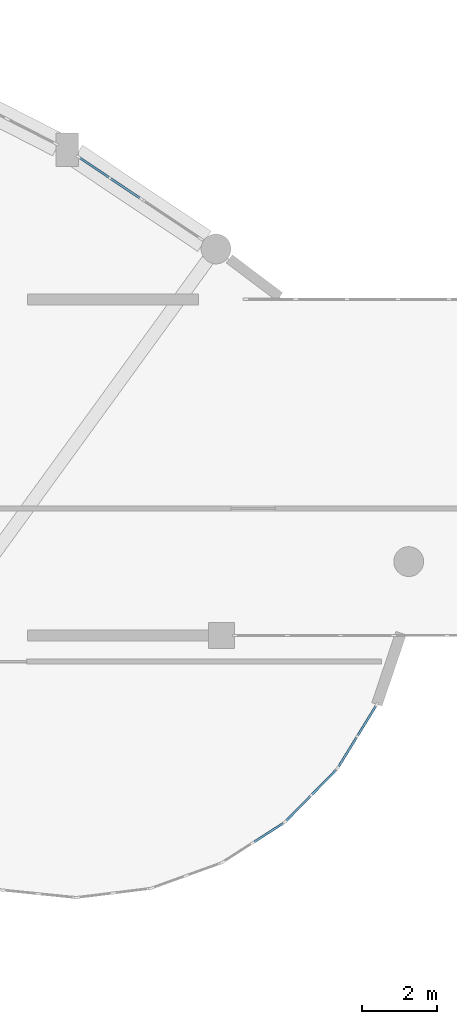
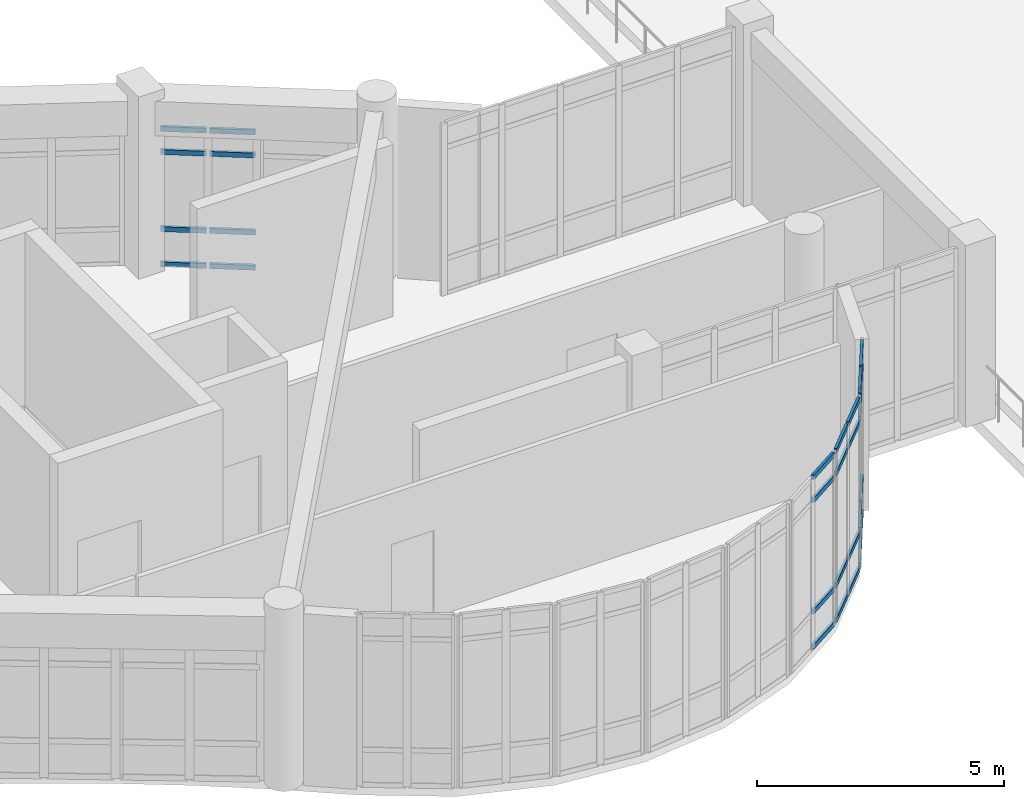
# One storey, part 30 of 54: 28 members, 4 elements without a shape of their own.
"""IFC4 building model written with IfcOpenShell, lengths in metres."""

import ifcopenshell
import ifcopenshell.guid

model = None  # the IFC model being written
_history = None  # IfcOwnerHistory: only IFC2X3 demands one
_inside = {}  # id of a spatial element -> (the spatial element, [elements in it])
_under = {}  # id of a project, library or spatial element -> (it, [spatial elements below it])
_declared = {}  # id of a project -> (the project, [libraries it declares])
_typed = {}  # id of a type object -> (the type object, [elements of that type])
_made_of = {}  # id of a material, layer set ... -> (it, [elements and type objects made of it])


def new_model(schema):
    """Start an empty IFC model of exactly this schema.

    Asked for "IFC4X3", IfcOpenShell would pick the latest addendum, in which some entities
    have other attributes; the version numbers below select the first issue.
    IFC2X3 requires an IfcOwnerHistory on every rooted entity: one is made here for all.
    """
    global model, _history
    if schema == "IFC4X3":
        model = ifcopenshell.file(schema_version=(4, 3, 0, 0))
    else:
        model = ifcopenshell.file(schema=schema)
    _inside.clear()
    _under.clear()
    _declared.clear()
    _typed.clear()
    _made_of.clear()
    _history = None
    if model.schema == "IFC2X3":
        org = make("IfcOrganization", Name="unknown")
        user = make(
            "IfcPersonAndOrganization",
            ThePerson=make("IfcPerson", FamilyName="unknown"),
            TheOrganization=org,
        )
        app = make(
            "IfcApplication",
            ApplicationDeveloper=org,
            Version="unknown",
            ApplicationFullName="unknown",
            ApplicationIdentifier="unknown",
        )
        _history = make(
            "IfcOwnerHistory",
            OwningUser=user,
            OwningApplication=app,
            ChangeAction="ADDED",
            CreationDate=0,
        )
    return model


def make(cls, **values):
    """One entity of the class cls with the attributes given. An attribute that is None is left unset."""
    return model.create_entity(
        cls, **{name: value for name, value in values.items() if value is not None}
    )


def rooted(cls, **values):
    """An entity with a GlobalId (a new one), such as an element, a storey or a relation."""
    return make(cls, GlobalId=ifcopenshell.guid.new(), OwnerHistory=_history, **values)


def si_unit(unit_type, name, prefix=None):
    """IfcSIUnit, for example si_unit("LENGTHUNIT", "METRE", prefix="MILLI")."""
    return make("IfcSIUnit", UnitType=unit_type, Prefix=prefix, Name=name)


def assignment(units):
    """IfcUnitAssignment: the units of a project."""
    return None if units is None else make("IfcUnitAssignment", Units=units)


def point(xyz):
    """IfcCartesianPoint."""
    return None if xyz is None else make("IfcCartesianPoint", Coordinates=xyz)


def direction(xyz):
    """IfcDirection."""
    return None if xyz is None else make("IfcDirection", DirectionRatios=xyz)


def frame(location, z_axis=None, x_axis=None):
    """IfcAxis2Placement3D, a coordinate frame: its origin and axes. An axis left out is left unset."""
    return make(
        "IfcAxis2Placement3D",
        Location=point(location),
        Axis=direction(z_axis),
        RefDirection=direction(x_axis),
    )


def frame_2d(location, x_axis=None):
    """IfcAxis2Placement2D, a coordinate frame in the plane: its origin and x axis."""
    return make(
        "IfcAxis2Placement2D", Location=point(location), RefDirection=direction(x_axis)
    )


def origin():
    """The frame at (0, 0, 0) with its axes left unset."""
    return frame((0.0, 0.0, 0.0))


def origin_2d():
    """The frame at (0, 0) in the plane with its x axis left unset."""
    return frame_2d((0.0, 0.0))


def place(relative_to, where):
    """IfcLocalPlacement: puts the frame where relative to a parent placement (None: the world)."""
    return make(
        "IfcLocalPlacement", PlacementRelTo=relative_to, RelativePlacement=where
    )


def context(
    kind, dimensions, precision=None, world=None, true_north=None, identifier=None
):
    """IfcGeometricRepresentationContext, for example the 3D "Model" context."""
    return make(
        "IfcGeometricRepresentationContext",
        ContextIdentifier=identifier,
        ContextType=kind,
        CoordinateSpaceDimension=dimensions,
        Precision=precision,
        WorldCoordinateSystem=world,
        TrueNorth=true_north,
    )


def subcontext(parent, identifier, kind, view, scale=None):
    """IfcGeometricRepresentationSubContext, for example "Body" below "Model"."""
    return make(
        "IfcGeometricRepresentationSubContext",
        ContextIdentifier=identifier,
        ContextType=kind,
        ParentContext=parent,
        TargetScale=scale,
        TargetView=view,
    )


def project(units=None, contexts=None):
    """IfcProject with its units and contexts."""
    return rooted(
        "IfcProject",
        Name="project",
        RepresentationContexts=contexts,
        UnitsInContext=assignment(units),
    )


def spatial(cls, under=None, at=None, **own):
    """A site, building, storey or space (cls), placed at a placement, below another one or the project."""
    s = rooted(cls, ObjectPlacement=at, **own)
    if under is not None:
        _under.setdefault(under.id(), (under, []))[1].append(s)
    return s


def profile(cls, at=None, kind="AREA", **sizes):
    """A parametric profile (cls). Its sizes go by their IFC names, for example OverallWidth=200.0."""
    return make(cls, ProfileType=kind, Position=at, **sizes)


def rectangle(**sizes):
    """IfcRectangleProfileDef."""
    return profile("IfcRectangleProfileDef", **sizes)


def extrude(swept, where, along, depth):
    """IfcExtrudedAreaSolid: the profile swept, set in the frame where, extruded along a direction by depth."""
    return make(
        "IfcExtrudedAreaSolid",
        SweptArea=swept,
        Position=where,
        ExtrudedDirection=direction(along),
        Depth=depth,
    )


def shape(context_of_items, identifier, shape_type, items):
    """IfcShapeRepresentation: the items that make up one representation, for example the "Body"."""
    return make(
        "IfcShapeRepresentation",
        ContextOfItems=context_of_items,
        RepresentationIdentifier=identifier,
        RepresentationType=shape_type,
        Items=items,
    )


def material(Name=None, Category=None):
    """IfcMaterial."""
    return make("IfcMaterial", Name=Name, Category=Category)


def layer(
    of_material, thickness, ventilated=None, Name=None, Category=None, Priority=None
):
    """IfcMaterialLayer: one layer of a wall or slab, of a material (None: an air gap)."""
    return make(
        "IfcMaterialLayer",
        Material=of_material,
        LayerThickness=thickness,
        IsVentilated=ventilated,
        Name=Name,
        Category=Category,
        Priority=Priority,
    )


def layer_set(layers, Name=None):
    """IfcMaterialLayerSet."""
    return make("IfcMaterialLayerSet", MaterialLayers=layers, LayerSetName=Name)


def material_profile(
    of_material, cross_section, Name=None, Category=None, Priority=None
):
    """IfcMaterialProfile: a cross section and its material."""
    return make(
        "IfcMaterialProfile",
        Name=Name,
        Material=of_material,
        Profile=cross_section,
        Priority=Priority,
        Category=Category,
    )


def profile_set(profiles, Name=None, composite=None):
    """IfcMaterialProfileSet."""
    return make(
        "IfcMaterialProfileSet",
        Name=Name,
        MaterialProfiles=profiles,
        CompositeProfile=composite,
    )


def made_of(thing, what):
    """Note that an element or type object is made of a material, layer set ...; save() writes the relation."""
    if what is not None:
        _made_of.setdefault(what.id(), (what, []))[1].append(thing)
    return thing


def type_object(cls, material=None, **own):
    """A type object (cls), such as IfcWallType, which elements share."""
    return made_of(rooted(cls, **own), material)


def element(
    cls,
    number,
    at=None,
    inside=None,
    cuts=None,
    type_object=None,
    material=None,
    context=None,
    identifier="Body",
    shape_type=None,
    held_by="IfcProductDefinitionShape",
    body=None,
    shapes=None,
    **own,
):
    """One element of the class cls, such as IfcWall. Its Tag is "e" and its number.

    at: its placement. inside: the storey or other place that contains it. cuts: it is an
    opening in that element (IfcRelVoidsElement). A single representation is given by context,
    identifier, shape_type and body (its items); several are given by shapes. held_by: the class
    of the entity that holds the representations. save() writes the other relations.
    """
    e = rooted(cls, Tag="e%d" % number, ObjectPlacement=at, **own)
    if body is not None:
        shapes = [shape(context, identifier, shape_type, body)]
    if shapes is not None:
        e.Representation = make(held_by, Representations=shapes)
    if inside is not None:
        _inside.setdefault(inside.id(), (inside, []))[1].append(e)
    if cuts is not None:
        rooted(
            "IfcRelVoidsElement", RelatingBuildingElement=cuts, RelatedOpeningElement=e
        )
    if type_object is not None:
        _typed.setdefault(type_object.id(), (type_object, []))[1].append(e)
    return made_of(e, material)


def aggregate(whole, parts):
    """IfcRelAggregates: a whole, such as a stair, and the parts it consists of."""
    return rooted("IfcRelAggregates", RelatingObject=whole, RelatedObjects=parts)


def save(model, path):
    """Write the relations noted so far, then the file.

    IfcRelAggregates (storeys below a building ...), IfcRelContainedInSpatialStructure (elements
    in a storey), IfcRelDefinesByType, IfcRelAssociatesMaterial and IfcRelDeclares: one each for
    every whole, place, type object, material and project.
    """
    for whole, parts in _under.values():
        aggregate(whole, parts)
    for where, things in _inside.values():
        rooted(
            "IfcRelContainedInSpatialStructure",
            RelatedElements=things,
            RelatingStructure=where,
        )
    for kind, things in _typed.values():
        rooted("IfcRelDefinesByType", RelatedObjects=things, RelatingType=kind)
    for what, things in _made_of.values():
        rooted("IfcRelAssociatesMaterial", RelatedObjects=things, RelatingMaterial=what)
    for by, libraries in _declared.values():
        rooted("IfcRelDeclares", RelatingContext=by, RelatedDefinitions=libraries)
    model.write(path)


model = new_model("IFC4")

# Units and contexts
model_context = context("Model", 3, precision=1e-05, world=origin(), true_north=direction((0.0, 1.0)))
body_context = subcontext(model_context, "Body", "Model", "MODEL_VIEW")
ifc_project = project(units=[si_unit("LENGTHUNIT", "METRE"), si_unit("AREAUNIT", "SQUARE_METRE"), si_unit("VOLUMEUNIT", "CUBIC_METRE"), si_unit("PLANEANGLEUNIT", "RADIAN"), si_unit("MASSUNIT", "GRAM", prefix="KILO")], contexts=[model_context])

# Site, building, storey
site_placement = place(None, origin())
site = spatial("IfcSite", under=ifc_project, at=site_placement, CompositionType="ELEMENT")
building_placement = place(site_placement, origin())
building = spatial("IfcBuilding", under=site, at=building_placement, Name="Miralva Faculty of Natural Sciences", CompositionType="ELEMENT")
storey_placement = place(building_placement, frame((0.0, 0.0, 19.5)))
storey = spatial("IfcBuildingStorey", under=building, at=storey_placement, Name="L04", CompositionType="ELEMENT", Elevation=19.5)

# Curtain wall, members
ifc_material_1 = material(Name="Laminated solar-control glass", Category="glass")
ifc_layer_1 = layer(ifc_material_1, 0.179931640625, Name="CW-ARC-L03")
ifc_layer_set_1 = layer_set([ifc_layer_1], Name="Laminated solar-control glass")
curtain_wall_type_1 = type_object("IfcCurtainWallType", Name="CW-ARC-L03", PredefinedType="USERDEFINED", material=ifc_layer_set_1)
curtain_wall_1_placement = place(storey_placement, origin())
curtain_wall_1 = element("IfcCurtainWall", 1, at=curtain_wall_1_placement, inside=storey, type_object=curtain_wall_type_1, Name="Curtain wall CW-03 L04-187", ObjectType="UNITISED CURTAIN WALL", PredefinedType="USERDEFINED")
ifc_material_2 = material(Name="Anodised aluminium", Category="aluminium")
ifc_material_profile = material_profile(ifc_material_2, rectangle(XDim=0.06005859375, YDim=0.1201171875, at=origin_2d()), Name="TRANSOM 60x120")
ifc_profile_set = profile_set([ifc_material_profile], Name="Anodised aluminium")
member_type = type_object("IfcMemberType", Name="CW-T02", PredefinedType="USERDEFINED", material=ifc_profile_set)
member_1_placement = place(storey_placement, frame((122.21337890625, 30.783203125, 0.030029296875), z_axis=(0.83148276453, -0.555550548815, 0.0), x_axis=(0.555550548815, 0.83148276453, 0.0)))
member_1 = element("IfcMember", 2, at=member_1_placement, type_object=member_type, Name="CW-03 transom 1.1", ObjectType="TRANSOM", PredefinedType="USERDEFINED", context=body_context, shape_type="SweptSolid", body=[
    extrude(rectangle(XDim=0.06005859375, YDim=0.1201171875, at=origin_2d()), origin(), (0.0, 0.0, 1.0), 0.92724609375),
])
member_2_placement = place(storey_placement, frame((122.21337890625, 30.783203125, 0.89990234375), z_axis=(0.83148276453, -0.555550548815, 0.0), x_axis=(0.555550548815, 0.83148276453, 0.0)))
member_2 = element("IfcMember", 3, at=member_2_placement, type_object=member_type, Name="CW-03 transom 1.2", ObjectType="TRANSOM", PredefinedType="USERDEFINED", context=body_context, shape_type="SweptSolid", body=[
    extrude(rectangle(XDim=0.06005859375, YDim=0.1201171875, at=origin_2d()), origin(), (0.0, 0.0, 1.0), 0.92724609375),
])
member_3_placement = place(storey_placement, frame((122.21337890625, 30.783203125, 2.804931640625), z_axis=(0.83148276453, -0.555550548815, 0.0), x_axis=(0.555550548815, 0.83148276453, 0.0)))
member_3 = element("IfcMember", 4, at=member_3_placement, type_object=member_type, Name="CW-03 transom 1.3", ObjectType="TRANSOM", PredefinedType="USERDEFINED", context=body_context, shape_type="SweptSolid", body=[
    extrude(rectangle(XDim=0.06005859375, YDim=0.1201171875, at=origin_2d()), origin(), (0.0, 0.0, 1.0), 0.92724609375),
])
member_4_placement = place(storey_placement, frame((122.21337890625, 30.783203125, 3.375), z_axis=(0.83148276453, -0.555550548815, 0.0), x_axis=(0.555550548815, 0.83148276453, 0.0)))
member_4 = element("IfcMember", 5, at=member_4_placement, type_object=member_type, Name="CW-03 transom 1.4", ObjectType="TRANSOM", PredefinedType="USERDEFINED", context=body_context, shape_type="SweptSolid", body=[
    extrude(rectangle(XDim=0.06005859375, YDim=0.1201171875, at=origin_2d()), origin(), (0.0, 0.0, 1.0), 0.92724609375),
])
member_5_placement = place(storey_placement, frame((123.03857421875, 30.23193359375, 0.030029296875), z_axis=(0.831361138772, -0.555732540832, 0.0), x_axis=(0.555732540832, 0.831361138772, 0.0)))
member_5 = element("IfcMember", 6, at=member_5_placement, type_object=member_type, Name="CW-03 transom 2.1", ObjectType="TRANSOM", PredefinedType="USERDEFINED", context=body_context, shape_type="SweptSolid", body=[
    extrude(rectangle(XDim=0.06005859375, YDim=0.1201171875, at=origin_2d()), origin(), (0.0, 0.0, 1.0), 0.927490234375),
])
member_6_placement = place(storey_placement, frame((123.03857421875, 30.23193359375, 0.89990234375), z_axis=(0.831361138772, -0.555732540832, 0.0), x_axis=(0.555732540832, 0.831361138772, 0.0)))
member_6 = element("IfcMember", 7, at=member_6_placement, type_object=member_type, Name="CW-03 transom 2.2", ObjectType="TRANSOM", PredefinedType="USERDEFINED", context=body_context, shape_type="SweptSolid", body=[
    extrude(rectangle(XDim=0.06005859375, YDim=0.1201171875, at=origin_2d()), origin(), (0.0, 0.0, 1.0), 0.927490234375),
])
member_7_placement = place(storey_placement, frame((123.03857421875, 30.23193359375, 2.804931640625), z_axis=(0.831361138772, -0.555732540832, 0.0), x_axis=(0.555732540832, 0.831361138772, 0.0)))
member_7 = element("IfcMember", 8, at=member_7_placement, type_object=member_type, Name="CW-03 transom 2.3", ObjectType="TRANSOM", PredefinedType="USERDEFINED", context=body_context, shape_type="SweptSolid", body=[
    extrude(rectangle(XDim=0.06005859375, YDim=0.1201171875, at=origin_2d()), origin(), (0.0, 0.0, 1.0), 0.927490234375),
])
member_8_placement = place(storey_placement, frame((123.03857421875, 30.23193359375, 3.375), z_axis=(0.831361138772, -0.555732540832, 0.0), x_axis=(0.555732540832, 0.831361138772, 0.0)))
member_8 = element("IfcMember", 9, at=member_8_placement, type_object=member_type, Name="CW-03 transom 2.4", ObjectType="TRANSOM", PredefinedType="USERDEFINED", context=body_context, shape_type="SweptSolid", body=[
    extrude(rectangle(XDim=0.06005859375, YDim=0.1201171875, at=origin_2d()), origin(), (0.0, 0.0, 1.0), 0.927490234375),
])
aggregate(curtain_wall_1, [member_1, member_2, member_3, member_4, member_5, member_6, member_7, member_8])

ifc_layer_2 = layer(ifc_material_1, 0.179931640625, Name="CW-RND-L03")
ifc_layer_set_2 = layer_set([ifc_layer_2], Name="Laminated solar-control glass")
curtain_wall_type_2 = type_object("IfcCurtainWallType", Name="CW-RND-L03", PredefinedType="USERDEFINED", material=ifc_layer_set_2)
curtain_wall_2_placement = place(storey_placement, origin())
curtain_wall_2 = element("IfcCurtainWall", 10, at=curtain_wall_2_placement, inside=storey, type_object=curtain_wall_type_2, Name="Curtain wall CW-06 L04-197", ObjectType="UNITISED CURTAIN WALL", PredefinedType="USERDEFINED")
member_9_placement = place(storey_placement, frame((129.140625, 14.490966796875, 0.030029296875), z_axis=(0.52351521274, 0.852016327326, 0.0), x_axis=(-0.852016327326, 0.52351521274, 0.0)))
member_9 = element("IfcMember", 11, at=member_9_placement, type_object=member_type, Name="CW-06 transom 1.1", ObjectType="TRANSOM", PredefinedType="USERDEFINED", context=body_context, shape_type="SweptSolid", body=[
    extrude(rectangle(XDim=0.06005859375, YDim=0.1201171875, at=origin_2d()), origin(), (0.0, 0.0, 1.0), 0.91259765625),
])
member_10_placement = place(storey_placement, frame((129.140625, 14.490966796875, 0.89990234375), z_axis=(0.52351521274, 0.852016327326, 0.0), x_axis=(-0.852016327326, 0.52351521274, 0.0)))
member_10 = element("IfcMember", 12, at=member_10_placement, type_object=member_type, Name="CW-06 transom 1.2", ObjectType="TRANSOM", PredefinedType="USERDEFINED", context=body_context, shape_type="SweptSolid", body=[
    extrude(rectangle(XDim=0.06005859375, YDim=0.1201171875, at=origin_2d()), origin(), (0.0, 0.0, 1.0), 0.91259765625),
])
member_11_placement = place(storey_placement, frame((129.140625, 14.490966796875, 3.64990234375), z_axis=(0.52351521274, 0.852016327326, 0.0), x_axis=(-0.852016327326, 0.52351521274, 0.0)))
member_11 = element("IfcMember", 13, at=member_11_placement, type_object=member_type, Name="CW-06 transom 1.3", ObjectType="TRANSOM", PredefinedType="USERDEFINED", context=body_context, shape_type="SweptSolid", body=[
    extrude(rectangle(XDim=0.06005859375, YDim=0.1201171875, at=origin_2d()), origin(), (0.0, 0.0, 1.0), 0.91259765625),
])
member_12_placement = place(storey_placement, frame((129.140625, 14.490966796875, 4.219970703125), z_axis=(0.52351521274, 0.852016327326, 0.0), x_axis=(-0.852016327326, 0.52351521274, 0.0)))
member_12 = element("IfcMember", 14, at=member_12_placement, type_object=member_type, Name="CW-06 transom 1.4", ObjectType="TRANSOM", PredefinedType="USERDEFINED", context=body_context, shape_type="SweptSolid", body=[
    extrude(rectangle(XDim=0.06005859375, YDim=0.1201171875, at=origin_2d()), origin(), (0.0, 0.0, 1.0), 0.91259765625),
])
member_13_placement = place(storey_placement, frame((129.65234375, 15.323974609375, 0.030029296875), z_axis=(0.523709365282, 0.851897001237, 0.0), x_axis=(-0.851897001237, 0.523709365282, 0.0)))
member_13 = element("IfcMember", 15, at=member_13_placement, type_object=member_type, Name="CW-06 transom 2.1", ObjectType="TRANSOM", PredefinedType="USERDEFINED", context=body_context, shape_type="SweptSolid", body=[
    extrude(rectangle(XDim=0.06005859375, YDim=0.1201171875, at=origin_2d()), origin(), (0.0, 0.0, 1.0), 0.912841796875),
])
member_14_placement = place(storey_placement, frame((129.65234375, 15.323974609375, 0.89990234375), z_axis=(0.523709365282, 0.851897001237, 0.0), x_axis=(-0.851897001237, 0.523709365282, 0.0)))
member_14 = element("IfcMember", 16, at=member_14_placement, type_object=member_type, Name="CW-06 transom 2.2", ObjectType="TRANSOM", PredefinedType="USERDEFINED", context=body_context, shape_type="SweptSolid", body=[
    extrude(rectangle(XDim=0.06005859375, YDim=0.1201171875, at=origin_2d()), origin(), (0.0, 0.0, 1.0), 0.912841796875),
])
member_15_placement = place(storey_placement, frame((129.65234375, 15.323974609375, 3.64990234375), z_axis=(0.523709365282, 0.851897001237, 0.0), x_axis=(-0.851897001237, 0.523709365282, 0.0)))
member_15 = element("IfcMember", 17, at=member_15_placement, type_object=member_type, Name="CW-06 transom 2.3", ObjectType="TRANSOM", PredefinedType="USERDEFINED", context=body_context, shape_type="SweptSolid", body=[
    extrude(rectangle(XDim=0.06005859375, YDim=0.1201171875, at=origin_2d()), origin(), (0.0, 0.0, 1.0), 0.912841796875),
])
member_16_placement = place(storey_placement, frame((129.65234375, 15.323974609375, 4.219970703125), z_axis=(0.523709365282, 0.851897001237, 0.0), x_axis=(-0.851897001237, 0.523709365282, 0.0)))
member_16 = element("IfcMember", 18, at=member_16_placement, type_object=member_type, Name="CW-06 transom 2.4", ObjectType="TRANSOM", PredefinedType="USERDEFINED", context=body_context, shape_type="SweptSolid", body=[
    extrude(rectangle(XDim=0.06005859375, YDim=0.1201171875, at=origin_2d()), origin(), (0.0, 0.0, 1.0), 0.912841796875),
])
aggregate(curtain_wall_2, [member_9, member_10, member_11, member_12, member_13, member_14, member_15, member_16])

curtain_wall_3_placement = place(storey_placement, origin())
curtain_wall_3 = element("IfcCurtainWall", 19, at=curtain_wall_3_placement, inside=storey, type_object=curtain_wall_type_2, Name="Curtain wall CW-06 L04-198", ObjectType="UNITISED CURTAIN WALL", PredefinedType="USERDEFINED")
member_17_placement = place(storey_placement, frame((127.7412109375, 13.042724609375, 0.030029296875), z_axis=(0.699983155997, 0.71415935289, 0.0), x_axis=(-0.71415935289, 0.699983155997, 0.0)))
member_17 = element("IfcMember", 20, at=member_17_placement, type_object=member_type, Name="CW-06 transom 1.1", ObjectType="TRANSOM", PredefinedType="USERDEFINED", context=body_context, shape_type="SweptSolid", body=[
    extrude(rectangle(XDim=0.06005859375, YDim=0.1201171875, at=origin_2d()), origin(), (0.0, 0.0, 1.0), 0.912841796875),
])
member_18_placement = place(storey_placement, frame((127.7412109375, 13.042724609375, 0.89990234375), z_axis=(0.699983155997, 0.71415935289, 0.0), x_axis=(-0.71415935289, 0.699983155997, 0.0)))
member_18 = element("IfcMember", 21, at=member_18_placement, type_object=member_type, Name="CW-06 transom 1.2", ObjectType="TRANSOM", PredefinedType="USERDEFINED", context=body_context, shape_type="SweptSolid", body=[
    extrude(rectangle(XDim=0.06005859375, YDim=0.1201171875, at=origin_2d()), origin(), (0.0, 0.0, 1.0), 0.912841796875),
])
member_19_placement = place(storey_placement, frame((127.7412109375, 13.042724609375, 3.64990234375), z_axis=(0.699983155997, 0.71415935289, 0.0), x_axis=(-0.71415935289, 0.699983155997, 0.0)))
member_19 = element("IfcMember", 22, at=member_19_placement, type_object=member_type, Name="CW-06 transom 1.3", ObjectType="TRANSOM", PredefinedType="USERDEFINED", context=body_context, shape_type="SweptSolid", body=[
    extrude(rectangle(XDim=0.06005859375, YDim=0.1201171875, at=origin_2d()), origin(), (0.0, 0.0, 1.0), 0.912841796875),
])
member_20_placement = place(storey_placement, frame((127.7412109375, 13.042724609375, 4.219970703125), z_axis=(0.699983155997, 0.71415935289, 0.0), x_axis=(-0.71415935289, 0.699983155997, 0.0)))
member_20 = element("IfcMember", 23, at=member_20_placement, type_object=member_type, Name="CW-06 transom 1.4", ObjectType="TRANSOM", PredefinedType="USERDEFINED", context=body_context, shape_type="SweptSolid", body=[
    extrude(rectangle(XDim=0.06005859375, YDim=0.1201171875, at=origin_2d()), origin(), (0.0, 0.0, 1.0), 0.912841796875),
])
member_21_placement = place(storey_placement, frame((128.425537109375, 13.740966796875, 0.030029296875), z_axis=(0.699983155997, 0.71415935289, 0.0), x_axis=(-0.71415935289, 0.699983155997, 0.0)))
member_21 = element("IfcMember", 24, at=member_21_placement, type_object=member_type, Name="CW-06 transom 2.1", ObjectType="TRANSOM", PredefinedType="USERDEFINED", context=body_context, shape_type="SweptSolid", body=[
    extrude(rectangle(XDim=0.06005859375, YDim=0.1201171875, at=origin_2d()), origin(), (0.0, 0.0, 1.0), 0.912841796875),
])
member_22_placement = place(storey_placement, frame((128.425537109375, 13.740966796875, 0.89990234375), z_axis=(0.699983155997, 0.71415935289, 0.0), x_axis=(-0.71415935289, 0.699983155997, 0.0)))
member_22 = element("IfcMember", 25, at=member_22_placement, type_object=member_type, Name="CW-06 transom 2.2", ObjectType="TRANSOM", PredefinedType="USERDEFINED", context=body_context, shape_type="SweptSolid", body=[
    extrude(rectangle(XDim=0.06005859375, YDim=0.1201171875, at=origin_2d()), origin(), (0.0, 0.0, 1.0), 0.912841796875),
])
member_23_placement = place(storey_placement, frame((128.425537109375, 13.740966796875, 3.64990234375), z_axis=(0.699983155997, 0.71415935289, 0.0), x_axis=(-0.71415935289, 0.699983155997, 0.0)))
member_23 = element("IfcMember", 26, at=member_23_placement, type_object=member_type, Name="CW-06 transom 2.3", ObjectType="TRANSOM", PredefinedType="USERDEFINED", context=body_context, shape_type="SweptSolid", body=[
    extrude(rectangle(XDim=0.06005859375, YDim=0.1201171875, at=origin_2d()), origin(), (0.0, 0.0, 1.0), 0.912841796875),
])
member_24_placement = place(storey_placement, frame((128.425537109375, 13.740966796875, 4.219970703125), z_axis=(0.699983155997, 0.71415935289, 0.0), x_axis=(-0.71415935289, 0.699983155997, 0.0)))
member_24 = element("IfcMember", 27, at=member_24_placement, type_object=member_type, Name="CW-06 transom 2.4", ObjectType="TRANSOM", PredefinedType="USERDEFINED", context=body_context, shape_type="SweptSolid", body=[
    extrude(rectangle(XDim=0.06005859375, YDim=0.1201171875, at=origin_2d()), origin(), (0.0, 0.0, 1.0), 0.912841796875),
])
aggregate(curtain_wall_3, [member_17, member_18, member_19, member_20, member_21, member_22, member_23, member_24])

curtain_wall_4_placement = place(storey_placement, origin())
curtain_wall_4 = element("IfcCurtainWall", 28, at=curtain_wall_4_placement, inside=storey, type_object=curtain_wall_type_2, Name="Curtain wall CW-06 L04-199", ObjectType="UNITISED CURTAIN WALL", PredefinedType="USERDEFINED")
member_25_placement = place(storey_placement, frame((126.877197265625, 12.470703125, 0.030029296875), z_axis=(0.841473826714, 0.540297879836, 0.0), x_axis=(-0.540297879836, 0.841473826714, 0.0)))
member_25 = element("IfcMember", 29, at=member_25_placement, type_object=member_type, Name="CW-06 transom 2.1", ObjectType="TRANSOM", PredefinedType="USERDEFINED", context=body_context, shape_type="SweptSolid", body=[
    extrude(rectangle(XDim=0.06005859375, YDim=0.1201171875, at=origin_2d()), origin(), (0.0, 0.0, 1.0), 0.912841796875),
])
member_26_placement = place(storey_placement, frame((126.877197265625, 12.470703125, 0.89990234375), z_axis=(0.841473826714, 0.540297879836, 0.0), x_axis=(-0.540297879836, 0.841473826714, 0.0)))
member_26 = element("IfcMember", 30, at=member_26_placement, type_object=member_type, Name="CW-06 transom 2.2", ObjectType="TRANSOM", PredefinedType="USERDEFINED", context=body_context, shape_type="SweptSolid", body=[
    extrude(rectangle(XDim=0.06005859375, YDim=0.1201171875, at=origin_2d()), origin(), (0.0, 0.0, 1.0), 0.912841796875),
])
member_27_placement = place(storey_placement, frame((126.877197265625, 12.470703125, 3.64990234375), z_axis=(0.841473826714, 0.540297879836, 0.0), x_axis=(-0.540297879836, 0.841473826714, 0.0)))
member_27 = element("IfcMember", 31, at=member_27_placement, type_object=member_type, Name="CW-06 transom 2.3", ObjectType="TRANSOM", PredefinedType="USERDEFINED", context=body_context, shape_type="SweptSolid", body=[
    extrude(rectangle(XDim=0.06005859375, YDim=0.1201171875, at=origin_2d()), origin(), (0.0, 0.0, 1.0), 0.912841796875),
])
member_28_placement = place(storey_placement, frame((126.877197265625, 12.470703125, 4.219970703125), z_axis=(0.841473826714, 0.540297879836, 0.0), x_axis=(-0.540297879836, 0.841473826714, 0.0)))
member_28 = element("IfcMember", 32, at=member_28_placement, type_object=member_type, Name="CW-06 transom 2.4", ObjectType="TRANSOM", PredefinedType="USERDEFINED", context=body_context, shape_type="SweptSolid", body=[
    extrude(rectangle(XDim=0.06005859375, YDim=0.1201171875, at=origin_2d()), origin(), (0.0, 0.0, 1.0), 0.912841796875),
])
aggregate(curtain_wall_4, [member_25, member_26, member_27, member_28])

save(model, "model.ifc")
